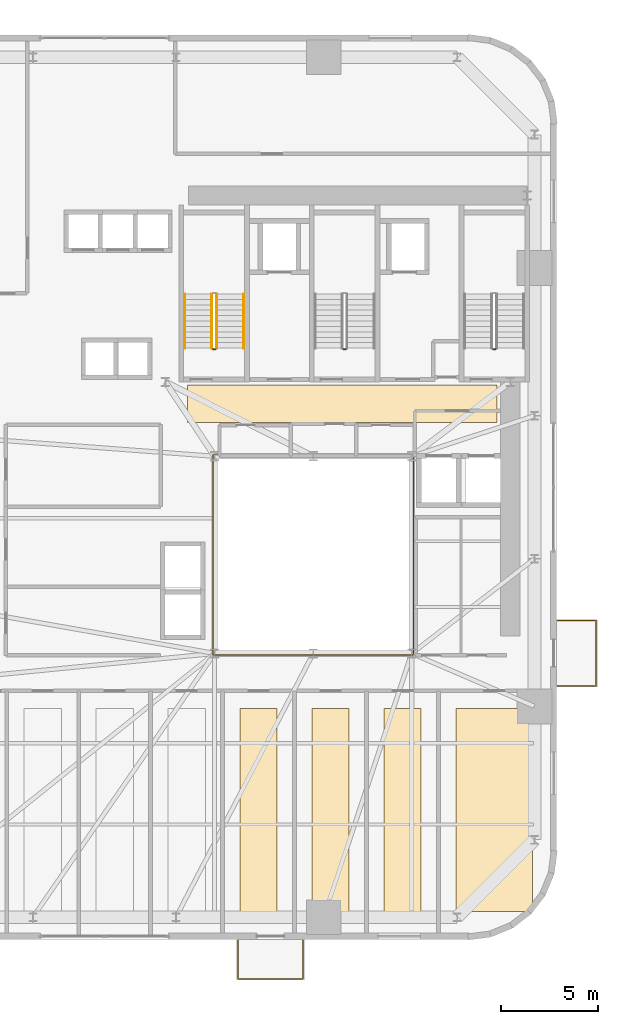
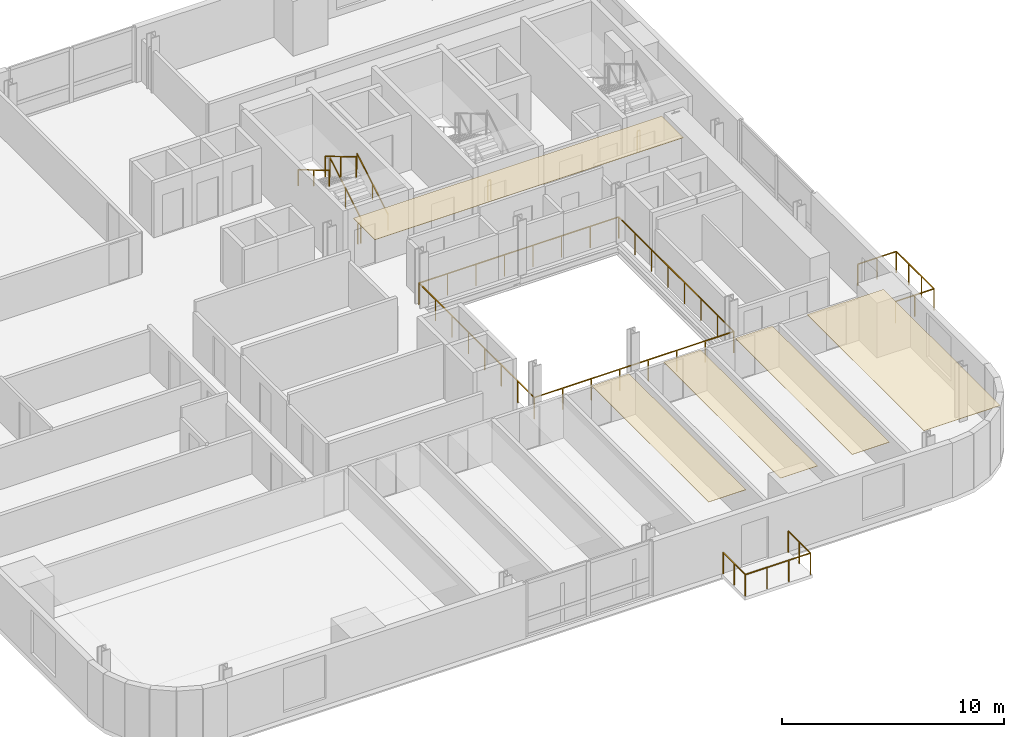
# One storey, part 11 of 13: 10 railings, 5 coverings.
"""IFC4 building model written with IfcOpenShell, lengths in metres."""

from ifc_helpers import new_model, si_unit, direction, frame, origin, origin_2d, place, context, subcontext, project, spatial, polyline, rectangle, outline, extrude, source, transform, mapped, material, layer, layer_set, type_object, element, save


model = new_model("IFC4")

# Units and contexts
model_context = context("Model", 3, precision=1e-05, world=origin(), true_north=direction((0.0, 1.0)))
body_context = subcontext(model_context, "Body", "Model", "MODEL_VIEW")
ifc_project = project(units=[si_unit("LENGTHUNIT", "METRE"), si_unit("AREAUNIT", "SQUARE_METRE"), si_unit("VOLUMEUNIT", "CUBIC_METRE"), si_unit("PLANEANGLEUNIT", "RADIAN"), si_unit("MASSUNIT", "GRAM", prefix="KILO")], contexts=[model_context])

# Site, building, storey
site_placement = place(None, origin())
site = spatial("IfcSite", under=ifc_project, at=site_placement, CompositionType="ELEMENT")
building_placement = place(site_placement, origin())
building = spatial("IfcBuilding", under=site, at=building_placement, Name="Vardaveli Station Tower", CompositionType="ELEMENT")
storey_placement = place(building_placement, frame((0.0, 0.0, 89.64990234375)))
storey = spatial("IfcBuildingStorey", under=building, at=storey_placement, Name="L23", CompositionType="ELEMENT", Elevation=89.64990234375)

# Coverings
ifc_material_1 = material(Name="Perforated acoustic mineral ceiling")
ifc_layer = layer(ifc_material_1, 0.02001953125, Name="Perforated acoustic mineral ceiling")
ifc_layer_set = layer_set([ifc_layer], Name="Perforated acoustic mineral ceiling")
covering_type = type_object("IfcCoveringType", Name="COV-CEIL-AC20", PredefinedType="CEILING", material=ifc_layer_set)
covering_1_placement = place(storey_placement, frame((0.0, 0.0, 2.985107421875)))
element("IfcCovering", 1, at=covering_1_placement, inside=storey, type_object=covering_type, Name="CEIL-L23-5", PredefinedType="CEILING", context=body_context, shape_type="SweptSolid", body=[
    extrude(outline(polyline([(32.513671875, 3.25), (34.438232421875, 3.25), (34.438232421875, 13.760009765625), (32.513671875, 13.760009765625), (32.513671875, 3.25)])), origin(), (0.0, 0.0, 1.0), 0.02001953125),
])
covering_2_placement = place(storey_placement, frame((0.0, 0.0, 2.985107421875)))
element("IfcCovering", 2, at=covering_2_placement, inside=storey, type_object=covering_type, Name="CEIL-L23-6", PredefinedType="CEILING", context=body_context, shape_type="SweptSolid", body=[
    extrude(outline(polyline([(36.23828125, 3.25), (38.162841796875, 3.25), (38.162841796875, 13.760009765625), (36.23828125, 13.760009765625), (36.23828125, 3.25)])), origin(), (0.0, 0.0, 1.0), 0.02001953125),
])
covering_3_placement = place(storey_placement, frame((0.0, 0.0, 2.985107421875)))
element("IfcCovering", 3, at=covering_3_placement, inside=storey, type_object=covering_type, Name="CEIL-L23-7", PredefinedType="CEILING", context=body_context, shape_type="SweptSolid", body=[
    extrude(outline(polyline([(39.962890625, 3.25), (41.887451171875, 3.25), (41.887451171875, 13.760009765625), (39.962890625, 13.760009765625), (39.962890625, 3.25)])), origin(), (0.0, 0.0, 1.0), 0.02001953125),
])
covering_4_placement = place(storey_placement, frame((0.0, 0.0, 2.985107421875)))
element("IfcCovering", 4, at=covering_4_placement, inside=storey, type_object=covering_type, Name="CEIL-L23-8", PredefinedType="CEILING", context=body_context, shape_type="SweptSolid", body=[
    extrude(outline(polyline([(43.6875, 3.25), (47.64990234375, 3.25), (47.64990234375, 13.760009765625), (43.6875, 13.760009765625), (43.6875, 3.25)])), origin(), (0.0, 0.0, 1.0), 0.02001953125),
])
covering_5_placement = place(storey_placement, frame((0.0, 0.0, 2.985107421875)))
element("IfcCovering", 5, at=covering_5_placement, inside=storey, type_object=covering_type, Name="CEIL-L23-9", PredefinedType="CEILING", context=body_context, shape_type="SweptSolid", body=[
    extrude(outline(polyline([(29.800048828125, 28.550048828125), (45.800048828125, 28.550048828125), (45.800048828125, 30.5), (29.800048828125, 30.5), (29.800048828125, 28.550048828125)])), origin(), (0.0, 0.0, 1.0), 0.02001953125),
])

# Railings
ifc_material_2 = material(Name="Laminated glass and stainless steel balustrade", Category="steel")
railing_type_1 = type_object("IfcRailingType", Name="RL-BAL-1200", PredefinedType="BALUSTRADE", material=ifc_material_2)
shared_shape_1 = source(origin(), body_context, "Body", "SweptSolid", [
    extrude(rectangle(XDim=0.048095703125, YDim=0.048095703125, at=origin_2d()), frame((0.0, 0.0, 1.17578125), z_axis=(0.0, -1.0, 0.0), x_axis=(1.0, 0.0, 0.0)), (0.0, 0.0, 1.0), 2.0),
    extrude(rectangle(XDim=0.048095703125, YDim=0.048095703125, at=origin_2d()), frame((0.0, -2.0, 1.17578125), z_axis=(1.0, 0.0, 0.0), x_axis=(0.0, 1.0, 0.0)), (0.0, 0.0, 1.0), 3.3798828125),
    extrude(rectangle(XDim=0.048095703125, YDim=0.048095703125, at=origin_2d()), frame((3.3798828125, -2.0, 1.17578125), z_axis=(0.0, 1.0, 0.0), x_axis=(-1.0, 0.0, 0.0)), (0.0, 0.0, 1.0), 2.0),
    extrude(rectangle(XDim=0.0419921875, YDim=0.0419921875, at=origin_2d()), origin(), (0.0, 0.0, 1.0), 1.15185546875),
    extrude(rectangle(XDim=0.0419921875, YDim=0.0419921875, at=origin_2d()), frame((0.0, -1.0, 0.0)), (0.0, 0.0, 1.0), 1.15185546875),
    extrude(rectangle(XDim=0.0419921875, YDim=0.0419921875, at=origin_2d()), frame((0.0, -2.0, 0.0)), (0.0, 0.0, 1.0), 1.15185546875),
    extrude(rectangle(XDim=0.0419921875, YDim=0.0419921875, at=origin_2d()), frame((1.126708984375, -2.0, 0.0)), (0.0, 0.0, 1.0), 1.15185546875),
    extrude(rectangle(XDim=0.0419921875, YDim=0.0419921875, at=origin_2d()), frame((2.253173828125, -2.0, 0.0)), (0.0, 0.0, 1.0), 1.15185546875),
    extrude(rectangle(XDim=0.0419921875, YDim=0.0419921875, at=origin_2d()), frame((3.3798828125, -2.0, 0.0)), (0.0, 0.0, 1.0), 1.15185546875),
    extrude(rectangle(XDim=0.0419921875, YDim=0.0419921875, at=origin_2d()), frame((3.3798828125, -1.0, 0.0)), (0.0, 0.0, 1.0), 1.15185546875),
    extrude(rectangle(XDim=0.0419921875, YDim=0.0419921875, at=origin_2d()), frame((3.3798828125, 0.0, 0.0)), (0.0, 0.0, 1.0), 1.15185546875),
])
railing_1_placement = place(storey_placement, frame((32.399658203125, 1.760009765625, 0.0)))
element("IfcRailing", 6, at=railing_1_placement, inside=storey, type_object=railing_type_1, Name="RL-LOG-L23-01", PredefinedType="BALUSTRADE", context=body_context, shape_type="MappedRepresentation", body=[
    mapped(shared_shape_1, transform((0.0, 0.0, 0.0), scale=1.0)),
])
shared_shape_2 = source(origin(), body_context, "Body", "SweptSolid", [
    extrude(rectangle(XDim=0.048095703125, YDim=0.048095703125, at=origin_2d()), frame((0.0, 0.0, 1.17578125), z_axis=(1.0, 0.0, 0.0), x_axis=(0.0, 1.0, 0.0)), (0.0, 0.0, 1.0), 2.0),
    extrude(rectangle(XDim=0.048095703125, YDim=0.048095703125, at=origin_2d()), frame((2.0, 0.0, 1.17578125), z_axis=(0.0, 1.0, 0.0), x_axis=(-1.0, 0.0, 0.0)), (0.0, 0.0, 1.0), 3.3798828125),
    extrude(rectangle(XDim=0.048095703125, YDim=0.048095703125, at=origin_2d()), frame((2.0, 3.3798828125, 1.17578125), z_axis=(-1.0, 0.0, 0.0), x_axis=(0.0, -1.0, 0.0)), (0.0, 0.0, 1.0), 2.0),
    extrude(rectangle(XDim=0.0419921875, YDim=0.0419921875, at=origin_2d()), origin(), (0.0, 0.0, 1.0), 1.15185546875),
    extrude(rectangle(XDim=0.0419921875, YDim=0.0419921875, at=origin_2d()), frame((1.0, 0.0, 0.0)), (0.0, 0.0, 1.0), 1.15185546875),
    extrude(rectangle(XDim=0.0419921875, YDim=0.0419921875, at=origin_2d()), frame((2.0, 0.0, 0.0)), (0.0, 0.0, 1.0), 1.15185546875),
    extrude(rectangle(XDim=0.0419921875, YDim=0.0419921875, at=origin_2d()), frame((2.0, 1.126708984375, 0.0)), (0.0, 0.0, 1.0), 1.15185546875),
    extrude(rectangle(XDim=0.0419921875, YDim=0.0419921875, at=origin_2d()), frame((2.0, 2.253173828125, 0.0)), (0.0, 0.0, 1.0), 1.15185546875),
    extrude(rectangle(XDim=0.0419921875, YDim=0.0419921875, at=origin_2d()), frame((2.0, 3.3798828125, 0.0)), (0.0, 0.0, 1.0), 1.15185546875),
    extrude(rectangle(XDim=0.0419921875, YDim=0.0419921875, at=origin_2d()), frame((1.0, 3.3798828125, 0.0)), (0.0, 0.0, 1.0), 1.15185546875),
    extrude(rectangle(XDim=0.0419921875, YDim=0.0419921875, at=origin_2d()), frame((0.0, 3.3798828125, 0.0)), (0.0, 0.0, 1.0), 1.15185546875),
])
railing_2_placement = place(storey_placement, frame((48.93994140625, 14.92041015625, 0.0)))
element("IfcRailing", 7, at=railing_2_placement, inside=storey, type_object=railing_type_1, Name="RL-LOG-L23-04", PredefinedType="BALUSTRADE", context=body_context, shape_type="MappedRepresentation", body=[
    mapped(shared_shape_2, transform((0.0, 0.0, 0.0), scale=1.0)),
])
ifc_material_3 = material(Name="Brushed AISI 316 stainless steel", Category="steel")
railing_type_2 = type_object("IfcRailingType", Name="RL-GUARD-1150", PredefinedType="GUARDRAIL", material=ifc_material_3)
shared_shape_3 = source(origin(), body_context, "Body", "SweptSolid", [
    extrude(rectangle(XDim=0.048095703125, YDim=0.048095703125, at=origin_2d()), frame((0.0, 0.0, 1.1259765625), z_axis=(-1.0, 0.0, 0.0), x_axis=(0.0, -1.0, 0.0)), (0.0, 0.0, 1.0), 0.14990234375),
    extrude(rectangle(XDim=0.0419921875, YDim=0.0419921875, at=origin_2d()), origin(), (0.0, 0.0, 1.0), 1.101806640625),
    extrude(rectangle(XDim=0.0419921875, YDim=0.0419921875, at=origin_2d()), frame((-0.14990234375, 0.0, 0.0)), (0.0, 0.0, 1.0), 1.101806640625),
])
for number, where, name in (
    (8, (31.25, 32.35009765625, 0.0), "L23 ST-1 stair guard 4"),
    (9, (38.0, 32.35009765625, 0.0), "L23 ST-2 stair guard 4"),
    (10, (45.75, 32.35009765625, 0.0), "L23 ST-3 stair guard 4"),
):
    element("IfcRailing", number, at=place(storey_placement, frame(where)), inside=storey, type_object=railing_type_2, Name=name, PredefinedType="GUARDRAIL", context=body_context, shape_type="MappedRepresentation", body=[
        mapped(shared_shape_3, transform((0.0, 0.0, 0.0), scale=1.0)),
    ])
shared_shape_4 = source(origin(), body_context, "Body", "SweptSolid", [
    extrude(rectangle(XDim=0.048095703125, YDim=0.048095703125, at=origin_2d()), frame((0.0, 0.0, 1.1259765625), z_axis=(0.0, 0.860306154799, 0.50977771628), x_axis=(-1.0, 0.0, 0.0)), (0.0, 0.0, 1.0), 3.254638671875),
    extrude(rectangle(XDim=0.0419921875, YDim=0.0419921875, at=origin_2d()), origin(), (0.0, 0.0, 1.0), 1.101806640625),
    extrude(rectangle(XDim=0.0419921875, YDim=0.0419921875, at=origin_2d()), frame((0.0, 1.39990234375, 0.82958984375)), (0.0, 0.0, 1.0), 1.101806640625),
    extrude(rectangle(XDim=0.0419921875, YDim=0.0419921875, at=origin_2d()), frame((0.0, 2.800048828125, 1.6591796875)), (0.0, 0.0, 1.0), 1.101806640625),
])
railing_3_placement = place(storey_placement, frame((31.300048828125, 32.39990234375, 0.166015625)))
element("IfcRailing", 11, at=railing_3_placement, inside=storey, type_object=railing_type_2, Name="L23 ST-1 stair guard 1", PredefinedType="GUARDRAIL", context=body_context, shape_type="MappedRepresentation", body=[
    mapped(shared_shape_4, transform((0.0, 0.0, 0.0), scale=1.0)),
])
shared_shape_5 = source(origin(), body_context, "Body", "SweptSolid", [
    extrude(rectangle(XDim=0.048095703125, YDim=0.048095703125, at=origin_2d()), frame((0.0, 0.0, 1.1259765625), z_axis=(0.0, -0.860306154799, 0.50977771628), x_axis=(1.0, 0.0, 0.0)), (0.0, 0.0, 1.0), 3.254638671875),
    extrude(rectangle(XDim=0.0419921875, YDim=0.0419921875, at=origin_2d()), origin(), (0.0, 0.0, 1.0), 1.101806640625),
    extrude(rectangle(XDim=0.0419921875, YDim=0.0419921875, at=origin_2d()), frame((0.0, -1.39990234375, 0.82958984375)), (0.0, 0.0, 1.0), 1.101806640625),
    extrude(rectangle(XDim=0.0419921875, YDim=0.0419921875, at=origin_2d()), frame((0.0, -2.800048828125, 1.6591796875)), (0.0, 0.0, 1.0), 1.101806640625),
])
railing_4_placement = place(storey_placement, frame((31.050048828125, 35.199951171875, 1.990966796875)))
element("IfcRailing", 12, at=railing_4_placement, inside=storey, type_object=railing_type_2, Name="L23 ST-1 stair guard 3", PredefinedType="GUARDRAIL", context=body_context, shape_type="MappedRepresentation", body=[
    mapped(shared_shape_5, transform((0.0, 0.0, 0.0), scale=1.0)),
])
railing_type_3 = type_object("IfcRailingType", Name="RL-HAND-900", PredefinedType="HANDRAIL", material=ifc_material_3)
shared_shape_6 = source(origin(), body_context, "Body", "SweptSolid", [
    extrude(rectangle(XDim=0.048095703125, YDim=0.048095703125, at=origin_2d()), frame((0.0, 0.0, 0.8759765625), z_axis=(0.0, 0.860306154799, 0.50977771628), x_axis=(-1.0, 0.0, 0.0)), (0.0, 0.0, 1.0), 3.254638671875),
    extrude(rectangle(XDim=0.0419921875, YDim=0.0419921875, at=origin_2d()), origin(), (0.0, 0.0, 1.0), 0.851806640625),
    extrude(rectangle(XDim=0.0419921875, YDim=0.0419921875, at=origin_2d()), frame((0.0, 1.39990234375, 0.82958984375)), (0.0, 0.0, 1.0), 0.851806640625),
    extrude(rectangle(XDim=0.0419921875, YDim=0.0419921875, at=origin_2d()), frame((0.0, 2.800048828125, 1.6591796875)), (0.0, 0.0, 1.0), 0.851806640625),
])
railing_5_placement = place(storey_placement, frame((32.699951171875, 32.39990234375, 0.166015625)))
element("IfcRailing", 13, at=railing_5_placement, inside=storey, type_object=railing_type_3, Name="L23 ST-1 stair handrail 1", PredefinedType="HANDRAIL", context=body_context, shape_type="MappedRepresentation", body=[
    mapped(shared_shape_6, transform((0.0, 0.0, 0.0), scale=1.0)),
])
shared_shape_7 = source(origin(), body_context, "Body", "SweptSolid", [
    extrude(rectangle(XDim=0.048095703125, YDim=0.048095703125, at=origin_2d()), frame((0.0, 0.0, 0.8759765625), z_axis=(0.0, -0.860306154799, 0.50977771628), x_axis=(1.0, 0.0, 0.0)), (0.0, 0.0, 1.0), 3.254638671875),
    extrude(rectangle(XDim=0.0419921875, YDim=0.0419921875, at=origin_2d()), origin(), (0.0, 0.0, 1.0), 0.851806640625),
    extrude(rectangle(XDim=0.0419921875, YDim=0.0419921875, at=origin_2d()), frame((0.0, -1.39990234375, 0.82958984375)), (0.0, 0.0, 1.0), 0.851806640625),
    extrude(rectangle(XDim=0.0419921875, YDim=0.0419921875, at=origin_2d()), frame((0.0, -2.800048828125, 1.6591796875)), (0.0, 0.0, 1.0), 0.851806640625),
])
railing_6_placement = place(storey_placement, frame((29.64990234375, 35.199951171875, 1.990966796875)))
element("IfcRailing", 14, at=railing_6_placement, inside=storey, type_object=railing_type_3, Name="L23 ST-1 stair handrail 2", PredefinedType="HANDRAIL", context=body_context, shape_type="MappedRepresentation", body=[
    mapped(shared_shape_7, transform((0.0, 0.0, 0.0), scale=1.0)),
])
shared_shape_8 = source(origin(), body_context, "Body", "SweptSolid", [
    extrude(rectangle(XDim=0.048095703125, YDim=0.048095703125, at=origin_2d()), frame((0.0, 0.0, 1.17578125), z_axis=(1.0, 0.0, 0.0), x_axis=(0.0, 1.0, 0.0)), (0.0, 0.0, 1.0), 10.35986328125),
    extrude(rectangle(XDim=0.048095703125, YDim=0.048095703125, at=origin_2d()), frame((10.35986328125, 0.0, 1.17578125), z_axis=(0.0, 1.0, 0.0), x_axis=(-1.0, 0.0, 0.0)), (0.0, 0.0, 1.0), 10.35986328125),
    extrude(rectangle(XDim=0.048095703125, YDim=0.048095703125, at=origin_2d()), frame((10.35986328125, 10.35986328125, 1.17578125), z_axis=(-1.0, 0.0, 0.0), x_axis=(0.0, -1.0, 0.0)), (0.0, 0.0, 1.0), 10.35986328125),
    extrude(rectangle(XDim=0.048095703125, YDim=0.048095703125, at=origin_2d()), frame((0.0, 10.35986328125, 1.17578125), z_axis=(0.0, -1.0, 0.0), x_axis=(1.0, 0.0, 0.0)), (0.0, 0.0, 1.0), 10.35986328125),
    extrude(rectangle(XDim=0.0419921875, YDim=0.0419921875, at=origin_2d()), origin(), (0.0, 0.0, 1.0), 1.15185546875),
    extrude(rectangle(XDim=0.0419921875, YDim=0.0419921875, at=origin_2d()), frame((1.47998046875, 0.0, 0.0)), (0.0, 0.0, 1.0), 1.15185546875),
    extrude(rectangle(XDim=0.0419921875, YDim=0.0419921875, at=origin_2d()), frame((2.9599609375, 0.0, 0.0)), (0.0, 0.0, 1.0), 1.15185546875),
    extrude(rectangle(XDim=0.0419921875, YDim=0.0419921875, at=origin_2d()), frame((4.43994140625, 0.0, 0.0)), (0.0, 0.0, 1.0), 1.15185546875),
    extrude(rectangle(XDim=0.0419921875, YDim=0.0419921875, at=origin_2d()), frame((5.919921875, 0.0, 0.0)), (0.0, 0.0, 1.0), 1.15185546875),
    extrude(rectangle(XDim=0.0419921875, YDim=0.0419921875, at=origin_2d()), frame((7.39990234375, 0.0, 0.0)), (0.0, 0.0, 1.0), 1.15185546875),
    extrude(rectangle(XDim=0.0419921875, YDim=0.0419921875, at=origin_2d()), frame((8.8798828125, 0.0, 0.0)), (0.0, 0.0, 1.0), 1.15185546875),
    extrude(rectangle(XDim=0.0419921875, YDim=0.0419921875, at=origin_2d()), frame((10.35986328125, 0.0, 0.0)), (0.0, 0.0, 1.0), 1.15185546875),
    extrude(rectangle(XDim=0.0419921875, YDim=0.0419921875, at=origin_2d()), frame((10.35986328125, 1.47998046875, 0.0)), (0.0, 0.0, 1.0), 1.15185546875),
    extrude(rectangle(XDim=0.0419921875, YDim=0.0419921875, at=origin_2d()), frame((10.35986328125, 2.9599609375, 0.0)), (0.0, 0.0, 1.0), 1.15185546875),
    extrude(rectangle(XDim=0.0419921875, YDim=0.0419921875, at=origin_2d()), frame((10.35986328125, 4.43994140625, 0.0)), (0.0, 0.0, 1.0), 1.15185546875),
    extrude(rectangle(XDim=0.0419921875, YDim=0.0419921875, at=origin_2d()), frame((10.35986328125, 5.919921875, 0.0)), (0.0, 0.0, 1.0), 1.15185546875),
    extrude(rectangle(XDim=0.0419921875, YDim=0.0419921875, at=origin_2d()), frame((10.35986328125, 7.39990234375, 0.0)), (0.0, 0.0, 1.0), 1.15185546875),
    extrude(rectangle(XDim=0.0419921875, YDim=0.0419921875, at=origin_2d()), frame((10.35986328125, 8.8798828125, 0.0)), (0.0, 0.0, 1.0), 1.15185546875),
    extrude(rectangle(XDim=0.0419921875, YDim=0.0419921875, at=origin_2d()), frame((10.35986328125, 10.35986328125, 0.0)), (0.0, 0.0, 1.0), 1.15185546875),
    extrude(rectangle(XDim=0.0419921875, YDim=0.0419921875, at=origin_2d()), frame((8.8798828125, 10.35986328125, 0.0)), (0.0, 0.0, 1.0), 1.15185546875),
    extrude(rectangle(XDim=0.0419921875, YDim=0.0419921875, at=origin_2d()), frame((7.39990234375, 10.35986328125, 0.0)), (0.0, 0.0, 1.0), 1.15185546875),
    extrude(rectangle(XDim=0.0419921875, YDim=0.0419921875, at=origin_2d()), frame((5.919921875, 10.35986328125, 0.0)), (0.0, 0.0, 1.0), 1.15185546875),
    extrude(rectangle(XDim=0.0419921875, YDim=0.0419921875, at=origin_2d()), frame((4.43994140625, 10.35986328125, 0.0)), (0.0, 0.0, 1.0), 1.15185546875),
    extrude(rectangle(XDim=0.0419921875, YDim=0.0419921875, at=origin_2d()), frame((2.9599609375, 10.35986328125, 0.0)), (0.0, 0.0, 1.0), 1.15185546875),
    extrude(rectangle(XDim=0.0419921875, YDim=0.0419921875, at=origin_2d()), frame((1.47998046875, 10.35986328125, 0.0)), (0.0, 0.0, 1.0), 1.15185546875),
    extrude(rectangle(XDim=0.0419921875, YDim=0.0419921875, at=origin_2d()), frame((0.0, 10.35986328125, 0.0)), (0.0, 0.0, 1.0), 1.15185546875),
    extrude(rectangle(XDim=0.0419921875, YDim=0.0419921875, at=origin_2d()), frame((0.0, 8.8798828125, 0.0)), (0.0, 0.0, 1.0), 1.15185546875),
    extrude(rectangle(XDim=0.0419921875, YDim=0.0419921875, at=origin_2d()), frame((0.0, 7.39990234375, 0.0)), (0.0, 0.0, 1.0), 1.15185546875),
    extrude(rectangle(XDim=0.0419921875, YDim=0.0419921875, at=origin_2d()), frame((0.0, 5.919921875, 0.0)), (0.0, 0.0, 1.0), 1.15185546875),
    extrude(rectangle(XDim=0.0419921875, YDim=0.0419921875, at=origin_2d()), frame((0.0, 4.43994140625, 0.0)), (0.0, 0.0, 1.0), 1.15185546875),
    extrude(rectangle(XDim=0.0419921875, YDim=0.0419921875, at=origin_2d()), frame((0.0, 2.9599609375, 0.0)), (0.0, 0.0, 1.0), 1.15185546875),
    extrude(rectangle(XDim=0.0419921875, YDim=0.0419921875, at=origin_2d()), frame((0.0, 1.47998046875, 0.0)), (0.0, 0.0, 1.0), 1.15185546875),
])
railing_7_placement = place(storey_placement, frame((31.1201171875, 16.52001953125, 0.0)))
element("IfcRailing", 15, at=railing_7_placement, inside=storey, type_object=railing_type_1, Name="RL-ATR-L23", PredefinedType="BALUSTRADE", context=body_context, shape_type="MappedRepresentation", body=[
    mapped(shared_shape_8, transform((0.0, 0.0, 0.0), scale=1.0)),
])

save(model, "model.ifc")
